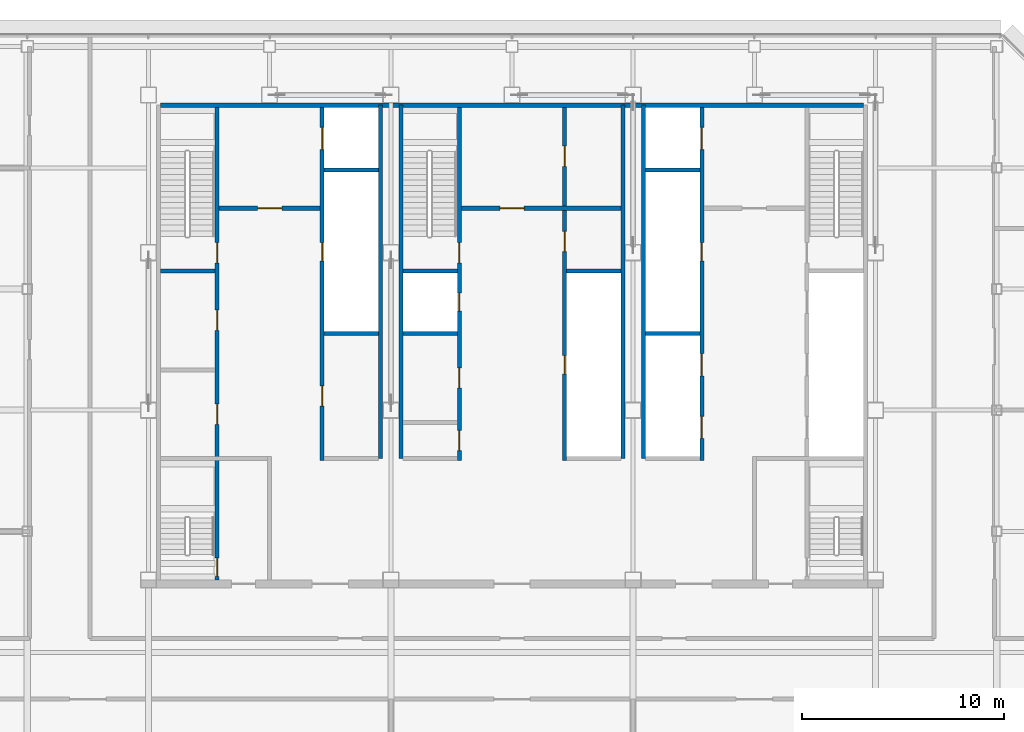
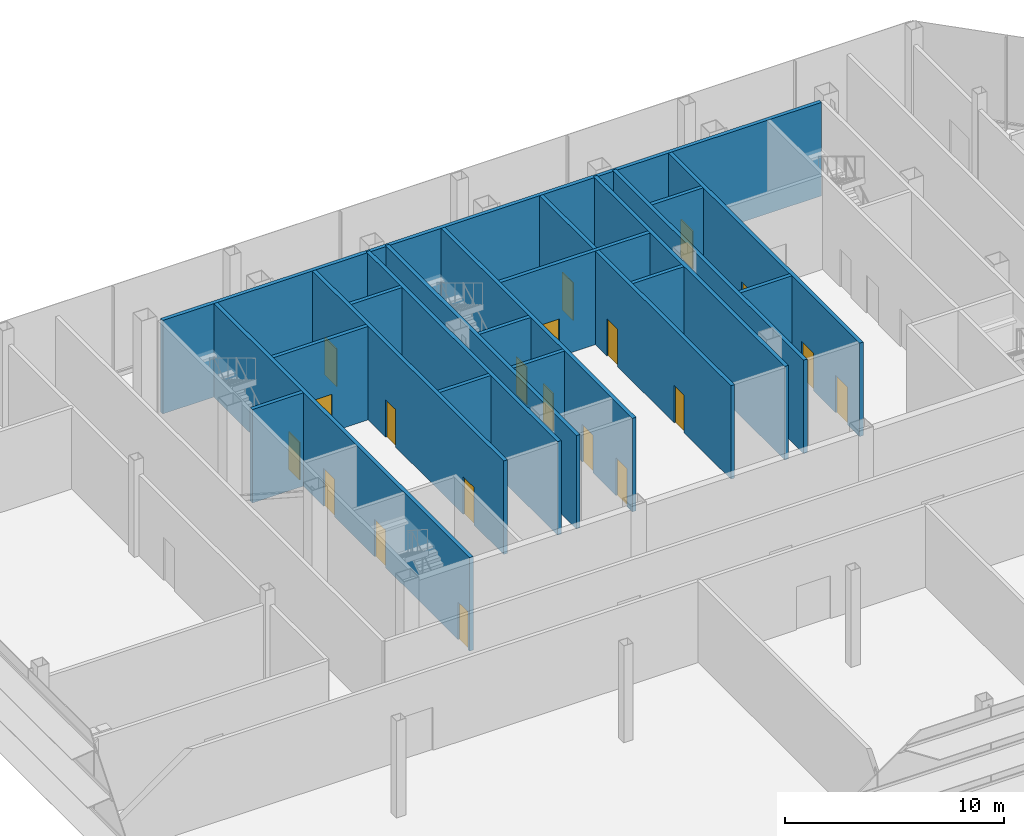
# One storey, part 20 of 26: 20 doors, 20 walls, 20 openings.
"""IFC4 building model written with IfcOpenShell, lengths in metres."""

from ifc_helpers import new_model, si_unit, direction, frame, frame_2d, origin, place, context, subcontext, project, spatial, rectangle, extrude, material, layer, layer_set, type_object, element, fill, save


model = new_model("IFC4")

# Units and contexts
model_context = context("Model", 3, precision=1e-05, world=origin(), true_north=direction((0.0, 1.0)))
body_context = subcontext(model_context, "Body", "Model", "MODEL_VIEW")
ifc_project = project(units=[si_unit("LENGTHUNIT", "METRE"), si_unit("AREAUNIT", "SQUARE_METRE"), si_unit("VOLUMEUNIT", "CUBIC_METRE"), si_unit("PLANEANGLEUNIT", "RADIAN"), si_unit("MASSUNIT", "GRAM", prefix="KILO")], contexts=[model_context])

# Site, building, storey
site_placement = place(None, origin())
site = spatial("IfcSite", under=ifc_project, at=site_placement, CompositionType="ELEMENT")
building_placement = place(site_placement, origin())
building = spatial("IfcBuilding", under=site, at=building_placement, Name="Sorahane Residences", CompositionType="ELEMENT")
storey_placement = place(building_placement, frame((0.0, 0.0, 257.60009765625)))
storey = spatial("IfcBuildingStorey", under=building, at=storey_placement, Name="L61", CompositionType="ELEMENT", Elevation=257.60009765625)

# Walls
ifc_material_1 = material(Name="Concrete C30", Category="concrete")
ifc_layer_1 = layer(ifc_material_1, 0.199951171875)
ifc_layer_set_1 = layer_set([ifc_layer_1], Name="Core face wall 200 EI 180")
wall_type_1 = type_object("IfcWallType", Name="Core face wall 200 EI 180", PredefinedType="SOLIDWALL", material=ifc_layer_set_1)
wall_1_placement = place(storey_placement, frame((6.60009765625, 45.10009765625, 0.0), z_axis=(0.0, 0.0, 1.0), x_axis=(1.0, 0.0, 0.0)))
element("IfcWall", 1, at=wall_1_placement, inside=storey, type_object=wall_type_1, Name="L61 core face wall", PredefinedType="SOLIDWALL", context=body_context, shape_type="SweptSolid", body=[
    extrude(rectangle(XDim=34.7998046875, YDim=0.199951171875, at=frame_2d((17.39990234375, 0.0))), origin(), (0.0, 0.0, 1.0), 5.219970703125),
])
for number, where, z_axis, x_axis, name in (
    (2, (17.5, 27.60009765625, 0.0), (0.0, 0.0, 1.0), (0.0, 1.0, 0.0), "L61 core face wall"),
    (3, (18.5, 27.60009765625, 0.0), (0.0, 0.0, 1.0), (0.0, 1.0, 0.0), "L61 core face wall"),
    (4, (29.5, 27.60009765625, 0.0), (0.0, 0.0, 1.0), (0.0, 1.0, 0.0), "L61 core face wall"),
    (5, (30.5, 27.60009765625, 0.0), (0.0, 0.0, 1.0), (0.0, 1.0, 0.0), "L61 core face wall"),
):
    element("IfcWall", number, at=place(storey_placement, frame(where, z_axis=z_axis, x_axis=x_axis)), inside=storey, type_object=wall_type_1, Name=name, PredefinedType="SOLIDWALL", context=body_context, shape_type="SweptSolid", body=[
        extrude(rectangle(XDim=17.5, YDim=0.199951171875, at=frame_2d((8.75, 0.0))), origin(), (0.0, 0.0, 1.0), 5.219970703125),
    ])

# Wall, opening, door
ifc_material_2 = material(Name="Concrete C30", Category="concrete")
ifc_layer_2 = layer(ifc_material_2, 0.199951171875)
ifc_layer_set_2 = layer_set([ifc_layer_2], Name="Front room wall 200 EI 120")
wall_type_2 = type_object("IfcWallType", Name="Front room wall 200 EI 120", PredefinedType="PARTITIONING", material=ifc_layer_set_2)
wall_2_placement = place(storey_placement, frame((21.5, 40.0, 0.0), z_axis=(0.0, 0.0, 1.0), x_axis=(1.0, 0.0, 0.0)))
wall_2 = element("IfcWall", 6, at=wall_2_placement, inside=storey, type_object=wall_type_2, Name="L61 front room wall", PredefinedType="PARTITIONING", context=body_context, shape_type="SweptSolid", body=[
    extrude(rectangle(XDim=7.89990234375, YDim=0.199951171875, at=frame_2d((3.949951171875, 0.0))), origin(), (0.0, 0.0, 1.0), 5.219970703125),
])
opening_1_placement = place(wall_2_placement, frame((1.89990234375, 0.0, 0.0)))
opening_1 = element("IfcOpeningElement", 7, at=opening_1_placement, cuts=wall_2, Name="Opening L61-C07", PredefinedType="OPENING", context=body_context, shape_type="SweptSolid", body=[
    extrude(rectangle(XDim=1.199951171875, YDim=2.10009765625, at=frame_2d((0.60009765625, 1.050048828125))), frame((0.0, 0.10986328125, 0.0), z_axis=(0.0, -1.0, 0.0), x_axis=(1.0, 0.0, 0.0)), (0.0, 0.0, 1.0), 0.219970703125),
])
ifc_material_3 = material(Name="Steel", Category="steel")
door_type_1 = type_object("IfcDoorType", Name="Front room door 1200x2100 FD120", OperationType="NOTDEFINED", PredefinedType="DOOR", material=ifc_material_3)
door_1_placement = place(opening_1_placement, frame((1.199951171875, 0.0, 0.0), z_axis=(0.0, 0.0, 1.0), x_axis=(-1.0, 0.0, 0.0)))
door_1 = element("IfcDoor", 8, at=door_1_placement, inside=storey, type_object=door_type_1, Name="Front room door Stair S3 vestibule L61", OperationType="DOUBLE_DOOR_SINGLE_SWING", OverallHeight=2.10009765625, OverallWidth=1.199951171875, PredefinedType="DOOR", context=body_context, shape_type="SweptSolid", body=[
    extrude(rectangle(XDim=1.199951171875, YDim=2.10009765625, at=frame_2d((0.60009765625, 1.050048828125))), frame((0.0, 0.02490234375, 0.0), z_axis=(0.0, -1.0, 0.0), x_axis=(1.0, 0.0, 0.0)), (0.0, 0.0, 1.0), 0.050048828125),
])
fill(opening_1, door_1)

wall_3_placement = place(storey_placement, frame((9.5, 40.0, 0.0), z_axis=(0.0, 0.0, 1.0), x_axis=(1.0, 0.0, 0.0)))
wall_3 = element("IfcWall", 9, at=wall_3_placement, inside=storey, type_object=wall_type_2, Name="L61 front room wall", PredefinedType="PARTITIONING", context=body_context, shape_type="SweptSolid", body=[
    extrude(rectangle(XDim=5.0, YDim=0.199951171875, at=frame_2d((2.5, 0.0))), origin(), (0.0, 0.0, 1.0), 5.219970703125),
])
opening_2_placement = place(wall_3_placement, frame((1.89990234375, 0.0, 0.0)))
opening_2 = element("IfcOpeningElement", 10, at=opening_2_placement, cuts=wall_3, Name="Opening L61-C06", PredefinedType="OPENING", context=body_context, shape_type="SweptSolid", body=[
    extrude(rectangle(XDim=1.199951171875, YDim=2.10009765625, at=frame_2d((0.60009765625, 1.050048828125))), frame((0.0, 0.10986328125, 0.0), z_axis=(0.0, -1.0, 0.0), x_axis=(1.0, 0.0, 0.0)), (0.0, 0.0, 1.0), 0.219970703125),
])
door_2_placement = place(opening_2_placement, frame((1.199951171875, 0.0, 0.0), z_axis=(0.0, 0.0, 1.0), x_axis=(-1.0, 0.0, 0.0)))
door_2 = element("IfcDoor", 11, at=door_2_placement, inside=storey, type_object=door_type_1, Name="Front room door Firefighting lobby FF1 front room L61", OperationType="DOUBLE_DOOR_SINGLE_SWING", OverallHeight=2.10009765625, OverallWidth=1.199951171875, PredefinedType="DOOR", context=body_context, shape_type="SweptSolid", body=[
    extrude(rectangle(XDim=1.199951171875, YDim=2.10009765625, at=frame_2d((0.60009765625, 1.050048828125))), frame((0.0, 0.02490234375, 0.0), z_axis=(0.0, -1.0, 0.0), x_axis=(1.0, 0.0, 0.0)), (0.0, 0.0, 1.0), 0.050048828125),
])
fill(opening_2, door_2)

# Wall, openings, doors
ifc_material_4 = material(Name="Concrete C30", Category="concrete")
ifc_layer_3 = layer(ifc_material_4, 0.199951171875)
ifc_layer_set_3 = layer_set([ifc_layer_3], Name="Lift shaft wall 200 EI 120")
wall_type_3 = type_object("IfcWallType", Name="Lift shaft wall 200 EI 120", PredefinedType="SOLIDWALL", material=ifc_layer_set_3)
wall_4_placement = place(storey_placement, frame((14.60009765625, 27.5, 0.0), z_axis=(0.0, 0.0, 1.0), x_axis=(0.0, 1.0, 0.0)))
wall_4 = element("IfcWall", 12, at=wall_4_placement, inside=storey, type_object=wall_type_3, Name="L61 lift shaft wall", PredefinedType="SOLIDWALL", context=body_context, shape_type="SweptSolid", body=[
    extrude(rectangle(XDim=17.5, YDim=0.199951171875, at=frame_2d((8.75, 0.0))), origin(), (0.0, 0.0, 1.0), 5.219970703125),
])
opening_3_placement = place(wall_4_placement, frame((15.39990234375, 0.0, 0.0)))
opening_3 = element("IfcOpeningElement", 13, at=opening_3_placement, cuts=wall_4, Name="Opening L61-C15", PredefinedType="OPENING", context=body_context, shape_type="SweptSolid", body=[
    extrude(rectangle(XDim=1.10009765625, YDim=2.10009765625, at=frame_2d((0.550048828125, 1.050048828125))), frame((0.0, 0.10986328125, 0.0), z_axis=(0.0, -1.0, 0.0), x_axis=(1.0, 0.0, 0.0)), (0.0, 0.0, 1.0), 0.219970703125),
])
opening_4_placement = place(wall_4_placement, frame((2.699951171875, 0.0, 0.0)))
opening_4 = element("IfcOpeningElement", 14, at=opening_4_placement, cuts=wall_4, Name="Opening L61-C18", PredefinedType="OPENING", context=body_context, shape_type="SweptSolid", body=[
    extrude(rectangle(XDim=1.0, YDim=2.10009765625, at=frame_2d((0.5, 1.050048828125))), frame((0.0, 0.10986328125, 0.0), z_axis=(0.0, -1.0, 0.0), x_axis=(1.0, 0.0, 0.0)), (0.0, 0.0, 1.0), 0.219970703125),
])
opening_5_placement = place(wall_4_placement, frame((9.89990234375, 0.0, 0.0)))
opening_5 = element("IfcOpeningElement", 15, at=opening_5_placement, cuts=wall_4, Name="Opening L61-C26", PredefinedType="OPENING", context=body_context, shape_type="SweptSolid", body=[
    extrude(rectangle(XDim=0.89990234375, YDim=2.10009765625, at=frame_2d((0.449951171875, 1.050048828125))), frame((0.0, 0.10986328125, 0.0), z_axis=(0.0, -1.0, 0.0), x_axis=(1.0, 0.0, 0.0)), (0.0, 0.0, 1.0), 0.219970703125),
])
ifc_material_5 = material(Name="Aluminium and stainless steel", Category="steel")
door_type_2 = type_object("IfcDoorType", Name="Lift landing door 1100x2100 E 60", OperationType="NOTDEFINED", PredefinedType="DOOR", material=ifc_material_5)
door_3_placement = place(opening_3_placement, origin())
door_3 = element("IfcDoor", 16, at=door_3_placement, inside=storey, type_object=door_type_2, Name="Lift landing door FF1 L61", OperationType="DOUBLE_DOOR_SLIDING", OverallHeight=2.10009765625, OverallWidth=1.10009765625, PredefinedType="DOOR", context=body_context, shape_type="SweptSolid", body=[
    extrude(rectangle(XDim=1.10009765625, YDim=2.10009765625, at=frame_2d((0.550048828125, 1.050048828125))), frame((0.0, 0.02490234375, 0.0), z_axis=(0.0, -1.0, 0.0), x_axis=(1.0, 0.0, 0.0)), (0.0, 0.0, 1.0), 0.050048828125),
])
fill(opening_3, door_3)
ifc_material_6 = material(Name="Steel", Category="steel")
door_type_3 = type_object("IfcDoorType", Name="Riser door 900x2100 FD120", OperationType="NOTDEFINED", PredefinedType="DOOR", material=ifc_material_6)
door_4_placement = place(opening_5_placement, origin())
door_4 = element("IfcDoor", 17, at=door_4_placement, inside=storey, type_object=door_type_3, Name="Riser door R1 L61", OperationType="SINGLE_SWING_LEFT", OverallHeight=2.10009765625, OverallWidth=0.89990234375, PredefinedType="DOOR", context=body_context, shape_type="SweptSolid", body=[
    extrude(rectangle(XDim=0.89990234375, YDim=2.10009765625, at=frame_2d((0.449951171875, 1.050048828125))), frame((0.0, 0.02490234375, 0.0), z_axis=(0.0, -1.0, 0.0), x_axis=(1.0, 0.0, 0.0)), (0.0, 0.0, 1.0), 0.050048828125),
])
fill(opening_5, door_4)
ifc_material_7 = material(Name="Steel", Category="steel")
door_type_4 = type_object("IfcDoorType", Name="Service room door 1000x2100 FD60", OperationType="NOTDEFINED", PredefinedType="DOOR", material=ifc_material_7)
door_5_placement = place(opening_4_placement, frame((1.0, 0.0, 0.0), z_axis=(0.0, 0.0, 1.0), x_axis=(-1.0, 0.0, 0.0)))
door_5 = element("IfcDoor", 18, at=door_5_placement, inside=storey, type_object=door_type_4, Name="Service room door Valet store L61", OperationType="SINGLE_SWING_RIGHT", OverallHeight=2.10009765625, OverallWidth=1.0, PredefinedType="DOOR", context=body_context, shape_type="SweptSolid", body=[
    extrude(rectangle(XDim=1.0, YDim=2.10009765625, at=frame_2d((0.5, 1.050048828125))), frame((0.0, 0.02490234375, 0.0), z_axis=(0.0, -1.0, 0.0), x_axis=(1.0, 0.0, 0.0)), (0.0, 0.0, 1.0), 0.050048828125),
])
fill(opening_4, door_5)

wall_5_placement = place(storey_placement, frame((33.39990234375, 27.5, 0.0), z_axis=(0.0, 0.0, 1.0), x_axis=(0.0, 1.0, 0.0)))
wall_5 = element("IfcWall", 19, at=wall_5_placement, inside=storey, type_object=wall_type_3, Name="L61 lift shaft wall", PredefinedType="SOLIDWALL", context=body_context, shape_type="SweptSolid", body=[
    extrude(rectangle(XDim=17.5, YDim=0.199951171875, at=frame_2d((8.75, 0.0))), origin(), (0.0, 0.0, 1.0), 5.219970703125),
])
opening_6_placement = place(wall_5_placement, frame((1.10009765625, 0.0, 0.0)))
opening_6 = element("IfcOpeningElement", 20, at=opening_6_placement, cuts=wall_5, Name="Opening L61-C12", PredefinedType="OPENING", context=body_context, shape_type="SweptSolid", body=[
    extrude(rectangle(XDim=1.10009765625, YDim=2.10009765625, at=frame_2d((0.550048828125, 1.050048828125))), frame((0.0, 0.10986328125, 0.0), z_axis=(0.0, -1.0, 0.0), x_axis=(1.0, 0.0, 0.0)), (0.0, 0.0, 1.0), 0.219970703125),
])
opening_7_placement = place(wall_5_placement, frame((4.199951171875, 0.0, 0.0)))
opening_7 = element("IfcOpeningElement", 21, at=opening_7_placement, cuts=wall_5, Name="Opening L61-C13", PredefinedType="OPENING", context=body_context, shape_type="SweptSolid", body=[
    extrude(rectangle(XDim=1.10009765625, YDim=2.10009765625, at=frame_2d((0.550048828125, 1.050048828125))), frame((0.0, 0.10986328125, 0.0), z_axis=(0.0, -1.0, 0.0), x_axis=(1.0, 0.0, 0.0)), (0.0, 0.0, 1.0), 0.219970703125),
])
opening_8_placement = place(wall_5_placement, frame((15.39990234375, 0.0, 0.0)))
opening_8 = element("IfcOpeningElement", 22, at=opening_8_placement, cuts=wall_5, Name="Opening L61-C14", PredefinedType="OPENING", context=body_context, shape_type="SweptSolid", body=[
    extrude(rectangle(XDim=1.10009765625, YDim=2.10009765625, at=frame_2d((0.550048828125, 1.050048828125))), frame((0.0, 0.10986328125, 0.0), z_axis=(0.0, -1.0, 0.0), x_axis=(1.0, 0.0, 0.0)), (0.0, 0.0, 1.0), 0.219970703125),
])
opening_9_placement = place(wall_5_placement, frame((9.89990234375, 0.0, 0.0)))
opening_9 = element("IfcOpeningElement", 23, at=opening_9_placement, cuts=wall_5, Name="Opening L61-C27", PredefinedType="OPENING", context=body_context, shape_type="SweptSolid", body=[
    extrude(rectangle(XDim=0.89990234375, YDim=2.10009765625, at=frame_2d((0.449951171875, 1.050048828125))), frame((0.0, 0.10986328125, 0.0), z_axis=(0.0, -1.0, 0.0), x_axis=(1.0, 0.0, 0.0)), (0.0, 0.0, 1.0), 0.219970703125),
])
door_6_placement = place(opening_6_placement, origin())
door_6 = element("IfcDoor", 24, at=door_6_placement, inside=storey, type_object=door_type_2, Name="Lift landing door HR4 L61", OperationType="DOUBLE_DOOR_SLIDING", OverallHeight=2.10009765625, OverallWidth=1.10009765625, PredefinedType="DOOR", context=body_context, shape_type="SweptSolid", body=[
    extrude(rectangle(XDim=1.10009765625, YDim=2.10009765625, at=frame_2d((0.550048828125, 1.050048828125))), frame((0.0, 0.02490234375, 0.0), z_axis=(0.0, -1.0, 0.0), x_axis=(1.0, 0.0, 0.0)), (0.0, 0.0, 1.0), 0.050048828125),
])
fill(opening_6, door_6)
door_7_placement = place(opening_7_placement, origin())
door_7 = element("IfcDoor", 25, at=door_7_placement, inside=storey, type_object=door_type_2, Name="Lift landing door HR5 L61", OperationType="DOUBLE_DOOR_SLIDING", OverallHeight=2.10009765625, OverallWidth=1.10009765625, PredefinedType="DOOR", context=body_context, shape_type="SweptSolid", body=[
    extrude(rectangle(XDim=1.10009765625, YDim=2.10009765625, at=frame_2d((0.550048828125, 1.050048828125))), frame((0.0, 0.02490234375, 0.0), z_axis=(0.0, -1.0, 0.0), x_axis=(1.0, 0.0, 0.0)), (0.0, 0.0, 1.0), 0.050048828125),
])
fill(opening_7, door_7)
door_8_placement = place(opening_8_placement, origin())
door_8 = element("IfcDoor", 26, at=door_8_placement, inside=storey, type_object=door_type_2, Name="Lift landing door FF2 L61", OperationType="DOUBLE_DOOR_SLIDING", OverallHeight=2.10009765625, OverallWidth=1.10009765625, PredefinedType="DOOR", context=body_context, shape_type="SweptSolid", body=[
    extrude(rectangle(XDim=1.10009765625, YDim=2.10009765625, at=frame_2d((0.550048828125, 1.050048828125))), frame((0.0, 0.02490234375, 0.0), z_axis=(0.0, -1.0, 0.0), x_axis=(1.0, 0.0, 0.0)), (0.0, 0.0, 1.0), 0.050048828125),
])
fill(opening_8, door_8)
door_9_placement = place(opening_9_placement, frame((0.89990234375, 0.0, 0.0), z_axis=(0.0, 0.0, 1.0), x_axis=(-1.0, 0.0, 0.0)))
door_9 = element("IfcDoor", 27, at=door_9_placement, inside=storey, type_object=door_type_3, Name="Riser door R2 L61", OperationType="SINGLE_SWING_LEFT", OverallHeight=2.10009765625, OverallWidth=0.89990234375, PredefinedType="DOOR", context=body_context, shape_type="SweptSolid", body=[
    extrude(rectangle(XDim=0.89990234375, YDim=2.10009765625, at=frame_2d((0.449951171875, 1.050048828125))), frame((0.0, 0.02490234375, 0.0), z_axis=(0.0, -1.0, 0.0), x_axis=(1.0, 0.0, 0.0)), (0.0, 0.0, 1.0), 0.050048828125),
])
fill(opening_9, door_9)

# Walls
for number, where, z_axis, x_axis, name in (
    (28, (30.60009765625, 33.800048828125, 0.0), (0.0, 0.0, 1.0), (1.0, 0.0, 0.0), "L61 lift shaft wall"),
    (29, (14.699951171875, 41.89990234375, 0.0), (0.0, 0.0, 1.0), (1.0, 0.0, 0.0), "L61 lift shaft wall"),
    (30, (30.60009765625, 41.89990234375, 0.0), (0.0, 0.0, 1.0), (1.0, 0.0, 0.0), "L61 lift shaft wall"),
):
    element("IfcWall", number, at=place(storey_placement, frame(where, z_axis=z_axis, x_axis=x_axis)), inside=storey, type_object=wall_type_3, Name=name, PredefinedType="SOLIDWALL", context=body_context, shape_type="SweptSolid", body=[
        extrude(rectangle(XDim=2.699951171875, YDim=0.199951171875, at=frame_2d((1.35009765625, 0.0))), origin(), (0.0, 0.0, 1.0), 5.219970703125),
    ])

# Wall, openings, doors
ifc_material_8 = material(Name="Concrete C30", Category="concrete")
ifc_layer_4 = layer(ifc_material_8, 0.199951171875)
ifc_layer_set_4 = layer_set([ifc_layer_4], Name="Riser shaft wall 200 EI 120")
wall_type_4 = type_object("IfcWallType", Name="Riser shaft wall 200 EI 120", PredefinedType="SOLIDWALL", material=ifc_layer_set_4)
wall_6_placement = place(storey_placement, frame((26.60009765625, 27.5, 0.0), z_axis=(0.0, 0.0, 1.0), x_axis=(0.0, 1.0, 0.0)))
wall_6 = element("IfcWall", 31, at=wall_6_placement, inside=storey, type_object=wall_type_4, Name="L61 riser wall", PredefinedType="SOLIDWALL", context=body_context, shape_type="SweptSolid", body=[
    extrude(rectangle(XDim=17.5, YDim=0.199951171875, at=frame_2d((8.75, 0.0))), origin(), (0.0, 0.0, 1.0), 5.219970703125),
])
opening_10_placement = place(wall_6_placement, frame((4.300048828125, 0.0, 0.0)))
opening_10 = element("IfcOpeningElement", 32, at=opening_10_placement, cuts=wall_6, Name="Opening L61-C29", PredefinedType="OPENING", context=body_context, shape_type="SweptSolid", body=[
    extrude(rectangle(XDim=0.89990234375, YDim=2.10009765625, at=frame_2d((0.449951171875, 1.050048828125))), frame((0.0, 0.10986328125, 0.0), z_axis=(0.0, -1.0, 0.0), x_axis=(1.0, 0.0, 0.0)), (0.0, 0.0, 1.0), 0.219970703125),
])
opening_11_placement = place(wall_6_placement, frame((10.35009765625, 0.0, 0.0)))
opening_11 = element("IfcOpeningElement", 33, at=opening_11_placement, cuts=wall_6, Name="Opening L61-C30", PredefinedType="OPENING", context=body_context, shape_type="SweptSolid", body=[
    extrude(rectangle(XDim=1.0, YDim=2.10009765625, at=frame_2d((0.5, 1.050048828125))), frame((0.0, 0.10986328125, 0.0), z_axis=(0.0, -1.0, 0.0), x_axis=(1.0, 0.0, 0.0)), (0.0, 0.0, 1.0), 0.219970703125),
])
opening_12_placement = place(wall_6_placement, frame((14.574951171875, 0.0, 0.0)))
opening_12 = element("IfcOpeningElement", 34, at=opening_12_placement, cuts=wall_6, Name="Opening L61-C31", PredefinedType="OPENING", context=body_context, shape_type="SweptSolid", body=[
    extrude(rectangle(XDim=1.0, YDim=2.10009765625, at=frame_2d((0.5, 1.050048828125))), frame((0.0, 0.10986328125, 0.0), z_axis=(0.0, -1.0, 0.0), x_axis=(1.0, 0.0, 0.0)), (0.0, 0.0, 1.0), 0.219970703125),
])
door_10_placement = place(opening_10_placement, origin())
door_10 = element("IfcDoor", 35, at=door_10_placement, inside=storey, type_object=door_type_3, Name="Riser door R4 L61", OperationType="SINGLE_SWING_LEFT", OverallHeight=2.10009765625, OverallWidth=0.89990234375, PredefinedType="DOOR", context=body_context, shape_type="SweptSolid", body=[
    extrude(rectangle(XDim=0.89990234375, YDim=2.10009765625, at=frame_2d((0.449951171875, 1.050048828125))), frame((0.0, 0.02490234375, 0.0), z_axis=(0.0, -1.0, 0.0), x_axis=(1.0, 0.0, 0.0)), (0.0, 0.0, 1.0), 0.050048828125),
])
fill(opening_10, door_10)
door_11_placement = place(opening_11_placement, frame((1.0, 0.0, 0.0), z_axis=(0.0, 0.0, 1.0), x_axis=(-1.0, 0.0, 0.0)))
door_11 = element("IfcDoor", 36, at=door_11_placement, inside=storey, type_object=door_type_4, Name="Service room door Linen room L61", OperationType="SINGLE_SWING_LEFT", OverallHeight=2.10009765625, OverallWidth=1.0, PredefinedType="DOOR", context=body_context, shape_type="SweptSolid", body=[
    extrude(rectangle(XDim=1.0, YDim=2.10009765625, at=frame_2d((0.5, 1.050048828125))), frame((0.0, 0.02490234375, 0.0), z_axis=(0.0, -1.0, 0.0), x_axis=(1.0, 0.0, 0.0)), (0.0, 0.0, 1.0), 0.050048828125),
])
fill(opening_11, door_11)
door_12_placement = place(opening_12_placement, frame((1.0, 0.0, 0.0), z_axis=(0.0, 0.0, 1.0), x_axis=(-1.0, 0.0, 0.0)))
door_12 = element("IfcDoor", 37, at=door_12_placement, inside=storey, type_object=door_type_4, Name="Service room door Cleaners' store L61", OperationType="SINGLE_SWING_LEFT", OverallHeight=2.10009765625, OverallWidth=1.0, PredefinedType="DOOR", context=body_context, shape_type="SweptSolid", body=[
    extrude(rectangle(XDim=1.0, YDim=2.10009765625, at=frame_2d((0.5, 1.050048828125))), frame((0.0, 0.02490234375, 0.0), z_axis=(0.0, -1.0, 0.0), x_axis=(1.0, 0.0, 0.0)), (0.0, 0.0, 1.0), 0.050048828125),
])
fill(opening_12, door_12)

# Walls
for number, where, z_axis, x_axis, name in (
    (38, (14.699951171875, 33.800048828125, 0.0), (0.0, 0.0, 1.0), (1.0, 0.0, 0.0), "L61 riser wall"),
    (39, (18.60009765625, 33.800048828125, 0.0), (0.0, 0.0, 1.0), (1.0, 0.0, 0.0), "L61 riser wall"),
    (40, (26.699951171875, 36.89990234375, 0.0), (0.0, 0.0, 1.0), (1.0, 0.0, 0.0), "L61 riser wall"),
):
    element("IfcWall", number, at=place(storey_placement, frame(where, z_axis=z_axis, x_axis=x_axis)), inside=storey, type_object=wall_type_4, Name=name, PredefinedType="SOLIDWALL", context=body_context, shape_type="SweptSolid", body=[
        extrude(rectangle(XDim=2.699951171875, YDim=0.199951171875, at=frame_2d((1.35009765625, 0.0))), origin(), (0.0, 0.0, 1.0), 5.219970703125),
    ])

# Wall, openings, doors
ifc_material_9 = material(Name="Concrete C30", Category="concrete")
ifc_layer_5 = layer(ifc_material_9, 0.199951171875)
ifc_layer_set_5 = layer_set([ifc_layer_5], Name="Stair enclosure wall 200 EI 120")
wall_type_5 = type_object("IfcWallType", Name="Stair enclosure wall 200 EI 120", PredefinedType="SOLIDWALL", material=ifc_layer_set_5)
wall_7_placement = place(storey_placement, frame((21.39990234375, 27.5, 0.0), z_axis=(0.0, 0.0, 1.0), x_axis=(0.0, 1.0, 0.0)))
wall_7 = element("IfcWall", 41, at=wall_7_placement, inside=storey, type_object=wall_type_5, Name="L61 stair enclosure wall", PredefinedType="SOLIDWALL", context=body_context, shape_type="SweptSolid", body=[
    extrude(rectangle(XDim=17.5, YDim=0.199951171875, at=frame_2d((8.75, 0.0))), origin(), (0.0, 0.0, 1.0), 5.219970703125),
])
opening_13_placement = place(wall_7_placement, frame((0.5, 0.0, 0.0)))
opening_13 = element("IfcOpeningElement", 42, at=opening_13_placement, cuts=wall_7, Name="Opening L61-C16", PredefinedType="OPENING", context=body_context, shape_type="SweptSolid", body=[
    extrude(rectangle(XDim=1.0, YDim=2.10009765625, at=frame_2d((0.5, 1.050048828125))), frame((0.0, 0.10986328125, 0.0), z_axis=(0.0, -1.0, 0.0), x_axis=(1.0, 0.0, 0.0)), (0.0, 0.0, 1.0), 0.219970703125),
])
opening_14_placement = place(wall_7_placement, frame((3.60009765625, 0.0, 0.0)))
opening_14 = element("IfcOpeningElement", 43, at=opening_14_placement, cuts=wall_7, Name="Opening L61-C17", PredefinedType="OPENING", context=body_context, shape_type="SweptSolid", body=[
    extrude(rectangle(XDim=1.0, YDim=2.10009765625, at=frame_2d((0.5, 1.050048828125))), frame((0.0, 0.10986328125, 0.0), z_axis=(0.0, -1.0, 0.0), x_axis=(1.0, 0.0, 0.0)), (0.0, 0.0, 1.0), 0.219970703125),
])
opening_15_placement = place(wall_7_placement, frame((9.800048828125, 0.0, 0.0)))
opening_15 = element("IfcOpeningElement", 44, at=opening_15_placement, cuts=wall_7, Name="Opening L61-C23", PredefinedType="OPENING", context=body_context, shape_type="SweptSolid", body=[
    extrude(rectangle(XDim=1.0, YDim=2.10009765625, at=frame_2d((0.5, 1.050048828125))), frame((0.0, 0.10986328125, 0.0), z_axis=(0.0, -1.0, 0.0), x_axis=(1.0, 0.0, 0.0)), (0.0, 0.0, 1.0), 0.219970703125),
])
opening_16_placement = place(wall_7_placement, frame((7.39990234375, 0.0, 0.0)))
opening_16 = element("IfcOpeningElement", 45, at=opening_16_placement, cuts=wall_7, Name="Opening L61-C28", PredefinedType="OPENING", context=body_context, shape_type="SweptSolid", body=[
    extrude(rectangle(XDim=0.89990234375, YDim=2.10009765625, at=frame_2d((0.449951171875, 1.050048828125))), frame((0.0, 0.10986328125, 0.0), z_axis=(0.0, -1.0, 0.0), x_axis=(1.0, 0.0, 0.0)), (0.0, 0.0, 1.0), 0.219970703125),
])
door_13_placement = place(opening_16_placement, frame((0.89990234375, 0.0, 0.0), z_axis=(0.0, 0.0, 1.0), x_axis=(-1.0, 0.0, 0.0)))
door_13 = element("IfcDoor", 46, at=door_13_placement, inside=storey, type_object=door_type_3, Name="Riser door R3 L61", OperationType="SINGLE_SWING_LEFT", OverallHeight=2.10009765625, OverallWidth=0.89990234375, PredefinedType="DOOR", context=body_context, shape_type="SweptSolid", body=[
    extrude(rectangle(XDim=0.89990234375, YDim=2.10009765625, at=frame_2d((0.449951171875, 1.050048828125))), frame((0.0, 0.02490234375, 0.0), z_axis=(0.0, -1.0, 0.0), x_axis=(1.0, 0.0, 0.0)), (0.0, 0.0, 1.0), 0.050048828125),
])
fill(opening_16, door_13)
door_14_placement = place(opening_13_placement, origin())
door_14 = element("IfcDoor", 47, at=door_14_placement, inside=storey, type_object=door_type_4, Name="Service room door Wine store L61", OperationType="SINGLE_SWING_RIGHT", OverallHeight=2.10009765625, OverallWidth=1.0, PredefinedType="DOOR", context=body_context, shape_type="SweptSolid", body=[
    extrude(rectangle(XDim=1.0, YDim=2.10009765625, at=frame_2d((0.5, 1.050048828125))), frame((0.0, 0.02490234375, 0.0), z_axis=(0.0, -1.0, 0.0), x_axis=(1.0, 0.0, 0.0)), (0.0, 0.0, 1.0), 0.050048828125),
])
fill(opening_13, door_14)
door_15_placement = place(opening_14_placement, origin())
door_15 = element("IfcDoor", 48, at=door_15_placement, inside=storey, type_object=door_type_4, Name="Service room door Wine room L61", OperationType="SINGLE_SWING_LEFT", OverallHeight=2.10009765625, OverallWidth=1.0, PredefinedType="DOOR", context=body_context, shape_type="SweptSolid", body=[
    extrude(rectangle(XDim=1.0, YDim=2.10009765625, at=frame_2d((0.5, 1.050048828125))), frame((0.0, 0.02490234375, 0.0), z_axis=(0.0, -1.0, 0.0), x_axis=(1.0, 0.0, 0.0)), (0.0, 0.0, 1.0), 0.050048828125),
])
fill(opening_14, door_15)
ifc_material_10 = material(Name="Steel", Category="steel")
door_type_5 = type_object("IfcDoorType", Name="Stair door 1000x2100 FD120", OperationType="NOTDEFINED", PredefinedType="DOOR", material=ifc_material_10)
door_16_placement = place(opening_15_placement, origin())
door_16 = element("IfcDoor", 49, at=door_16_placement, inside=storey, type_object=door_type_5, Name="Stair door S3 L61", OperationType="SINGLE_SWING_LEFT", OverallHeight=2.10009765625, OverallWidth=1.0, PredefinedType="DOOR", context=body_context, shape_type="SweptSolid", body=[
    extrude(rectangle(XDim=1.0, YDim=2.10009765625, at=frame_2d((0.5, 1.050048828125))), frame((0.0, 0.02490234375, 0.0), z_axis=(0.0, -1.0, 0.0), x_axis=(1.0, 0.0, 0.0)), (0.0, 0.0, 1.0), 0.050048828125),
])
fill(opening_15, door_16)

wall_8_placement = place(storey_placement, frame((9.39990234375, 21.60009765625, 0.0), z_axis=(0.0, 0.0, 1.0), x_axis=(0.0, 1.0, 0.0)))
wall_8 = element("IfcWall", 50, at=wall_8_placement, inside=storey, type_object=wall_type_5, Name="L61 stair enclosure wall", PredefinedType="SOLIDWALL", context=body_context, shape_type="SweptSolid", body=[
    extrude(rectangle(XDim=23.39990234375, YDim=0.199951171875, at=frame_2d((11.699951171875, 0.0))), origin(), (0.0, 0.0, 1.0), 5.219970703125),
])
opening_17_placement = place(wall_8_placement, frame((7.699951171875, 0.0, 0.0)))
opening_17 = element("IfcOpeningElement", 51, at=opening_17_placement, cuts=wall_8, Name="Opening L61-C19", PredefinedType="OPENING", context=body_context, shape_type="SweptSolid", body=[
    extrude(rectangle(XDim=1.0, YDim=2.10009765625, at=frame_2d((0.5, 1.050048828125))), frame((0.0, 0.10986328125, 0.0), z_axis=(0.0, -1.0, 0.0), x_axis=(1.0, 0.0, 0.0)), (0.0, 0.0, 1.0), 0.219970703125),
])
opening_18_placement = place(wall_8_placement, frame((12.35009765625, 0.0, 0.0)))
opening_18 = element("IfcOpeningElement", 52, at=opening_18_placement, cuts=wall_8, Name="Opening L61-C20", PredefinedType="OPENING", context=body_context, shape_type="SweptSolid", body=[
    extrude(rectangle(XDim=1.0, YDim=2.10009765625, at=frame_2d((0.5, 1.050048828125))), frame((0.0, 0.10986328125, 0.0), z_axis=(0.0, -1.0, 0.0), x_axis=(1.0, 0.0, 0.0)), (0.0, 0.0, 1.0), 0.219970703125),
])
opening_19_placement = place(wall_8_placement, frame((15.699951171875, 0.0, 0.0)))
opening_19 = element("IfcOpeningElement", 53, at=opening_19_placement, cuts=wall_8, Name="Opening L61-C21", PredefinedType="OPENING", context=body_context, shape_type="SweptSolid", body=[
    extrude(rectangle(XDim=1.0, YDim=2.10009765625, at=frame_2d((0.5, 1.050048828125))), frame((0.0, 0.10986328125, 0.0), z_axis=(0.0, -1.0, 0.0), x_axis=(1.0, 0.0, 0.0)), (0.0, 0.0, 1.0), 0.219970703125),
])
opening_20_placement = place(wall_8_placement, frame((0.175048828125, 0.0, 0.0)))
opening_20 = element("IfcOpeningElement", 54, at=opening_20_placement, cuts=wall_8, Name="Opening L61-C24", PredefinedType="OPENING", context=body_context, shape_type="SweptSolid", body=[
    extrude(rectangle(XDim=0.89990234375, YDim=2.10009765625, at=frame_2d((0.449951171875, 1.050048828125))), frame((0.0, 0.10986328125, 0.0), z_axis=(0.0, -1.0, 0.0), x_axis=(1.0, 0.0, 0.0)), (0.0, 0.0, 1.0), 0.219970703125),
])
door_17_placement = place(opening_17_placement, origin())
door_17 = element("IfcDoor", 55, at=door_17_placement, inside=storey, type_object=door_type_4, Name="Service room door Wine room L61", OperationType="SINGLE_SWING_LEFT", OverallHeight=2.10009765625, OverallWidth=1.0, PredefinedType="DOOR", context=body_context, shape_type="SweptSolid", body=[
    extrude(rectangle(XDim=1.0, YDim=2.10009765625, at=frame_2d((0.5, 1.050048828125))), frame((0.0, 0.02490234375, 0.0), z_axis=(0.0, -1.0, 0.0), x_axis=(1.0, 0.0, 0.0)), (0.0, 0.0, 1.0), 0.050048828125),
])
fill(opening_17, door_17)
door_18_placement = place(opening_18_placement, origin())
door_18 = element("IfcDoor", 56, at=door_18_placement, inside=storey, type_object=door_type_4, Name="Service room door Valet store L61", OperationType="SINGLE_SWING_LEFT", OverallHeight=2.10009765625, OverallWidth=1.0, PredefinedType="DOOR", context=body_context, shape_type="SweptSolid", body=[
    extrude(rectangle(XDim=1.0, YDim=2.10009765625, at=frame_2d((0.5, 1.050048828125))), frame((0.0, 0.02490234375, 0.0), z_axis=(0.0, -1.0, 0.0), x_axis=(1.0, 0.0, 0.0)), (0.0, 0.0, 1.0), 0.050048828125),
])
fill(opening_18, door_18)
door_19_placement = place(opening_19_placement, origin())
door_19 = element("IfcDoor", 57, at=door_19_placement, inside=storey, type_object=door_type_5, Name="Stair door S1 L61", OperationType="SINGLE_SWING_LEFT", OverallHeight=2.10009765625, OverallWidth=1.0, PredefinedType="DOOR", context=body_context, shape_type="SweptSolid", body=[
    extrude(rectangle(XDim=1.0, YDim=2.10009765625, at=frame_2d((0.5, 1.050048828125))), frame((0.0, 0.02490234375, 0.0), z_axis=(0.0, -1.0, 0.0), x_axis=(1.0, 0.0, 0.0)), (0.0, 0.0, 1.0), 0.050048828125),
])
fill(opening_19, door_19)
ifc_material_11 = material(Name="Steel", Category="steel")
door_type_6 = type_object("IfcDoorType", Name="Stair door 900x2100 FD120", OperationType="NOTDEFINED", PredefinedType="DOOR", material=ifc_material_11)
door_20_placement = place(opening_20_placement, origin())
door_20 = element("IfcDoor", 58, at=door_20_placement, inside=storey, type_object=door_type_6, Name="Stair door S4 L61", OperationType="SINGLE_SWING_LEFT", OverallHeight=2.10009765625, OverallWidth=0.89990234375, PredefinedType="DOOR", context=body_context, shape_type="SweptSolid", body=[
    extrude(rectangle(XDim=0.89990234375, YDim=2.10009765625, at=frame_2d((0.449951171875, 1.050048828125))), frame((0.0, 0.02490234375, 0.0), z_axis=(0.0, -1.0, 0.0), x_axis=(1.0, 0.0, 0.0)), (0.0, 0.0, 1.0), 0.050048828125),
])
fill(opening_20, door_20)

# Walls
for number, where, z_axis, x_axis, name in (
    (59, (18.60009765625, 36.89990234375, 0.0), (0.0, 0.0, 1.0), (1.0, 0.0, 0.0), "L61 stair enclosure wall"),
    (60, (6.60009765625, 36.89990234375, 0.0), (0.0, 0.0, 1.0), (1.0, 0.0, 0.0), "L61 stair enclosure wall"),
):
    element("IfcWall", number, at=place(storey_placement, frame(where, z_axis=z_axis, x_axis=x_axis)), inside=storey, type_object=wall_type_5, Name=name, PredefinedType="SOLIDWALL", context=body_context, shape_type="SweptSolid", body=[
        extrude(rectangle(XDim=2.699951171875, YDim=0.199951171875, at=frame_2d((1.35009765625, 0.0))), origin(), (0.0, 0.0, 1.0), 5.219970703125),
    ])

save(model, "model.ifc")
